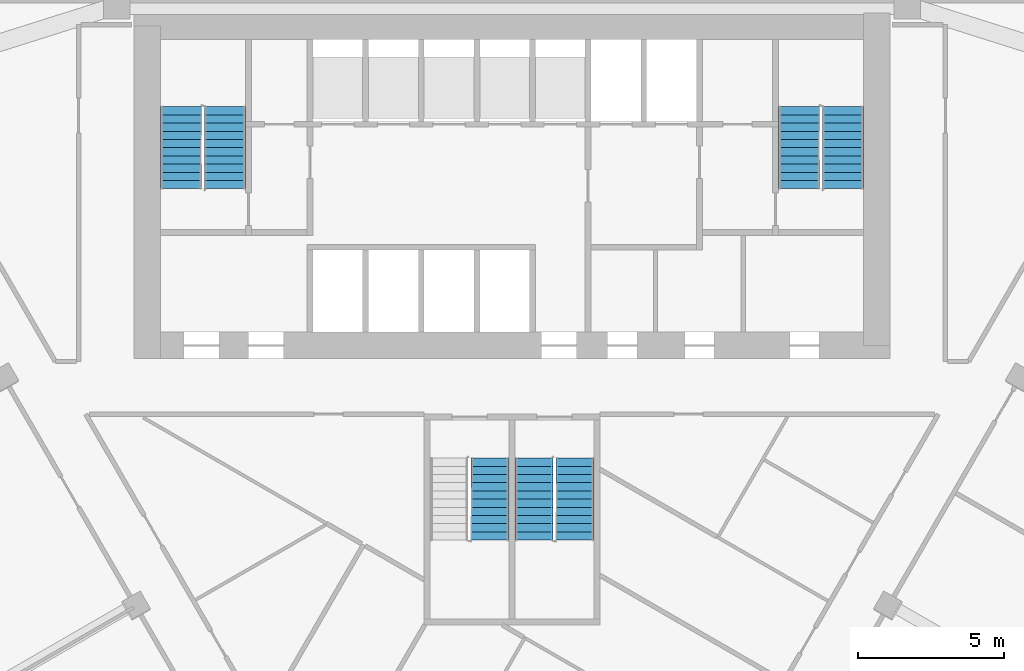
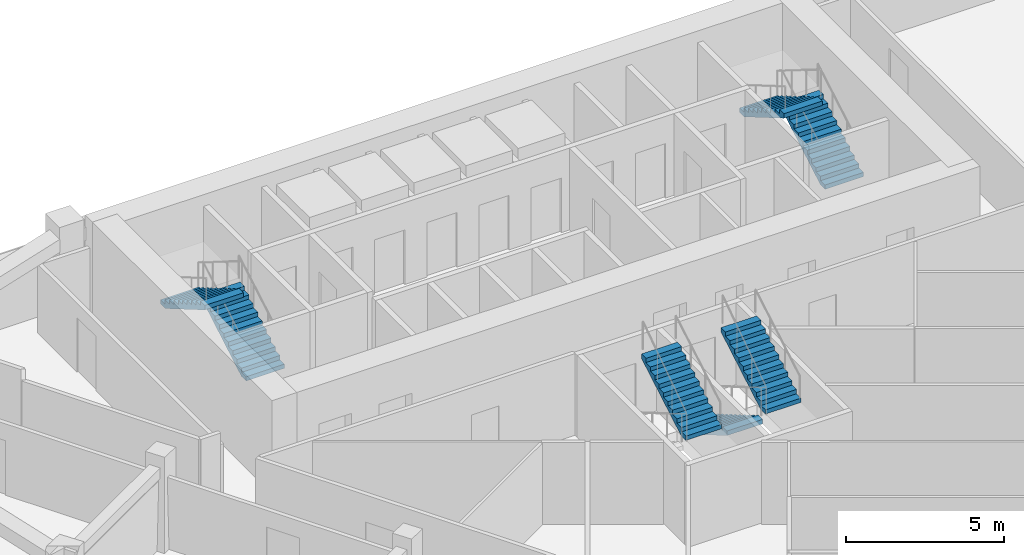
# One storey, part 12 of 14: 7 stair flights, 4 elements without a shape of their own.
"""IFC4 building model written with IfcOpenShell, lengths in metres."""

import ifcopenshell
import ifcopenshell.guid

model = None  # the IFC model being written
_history = None  # IfcOwnerHistory: only IFC2X3 demands one
_inside = {}  # id of a spatial element -> (the spatial element, [elements in it])
_under = {}  # id of a project, library or spatial element -> (it, [spatial elements below it])
_declared = {}  # id of a project -> (the project, [libraries it declares])
_typed = {}  # id of a type object -> (the type object, [elements of that type])
_made_of = {}  # id of a material, layer set ... -> (it, [elements and type objects made of it])


def new_model(schema):
    """Start an empty IFC model of exactly this schema.

    Asked for "IFC4X3", IfcOpenShell would pick the latest addendum, in which some entities
    have other attributes; the version numbers below select the first issue.
    IFC2X3 requires an IfcOwnerHistory on every rooted entity: one is made here for all.
    """
    global model, _history
    if schema == "IFC4X3":
        model = ifcopenshell.file(schema_version=(4, 3, 0, 0))
    else:
        model = ifcopenshell.file(schema=schema)
    _inside.clear()
    _under.clear()
    _declared.clear()
    _typed.clear()
    _made_of.clear()
    _history = None
    if model.schema == "IFC2X3":
        org = make("IfcOrganization", Name="unknown")
        user = make(
            "IfcPersonAndOrganization",
            ThePerson=make("IfcPerson", FamilyName="unknown"),
            TheOrganization=org,
        )
        app = make(
            "IfcApplication",
            ApplicationDeveloper=org,
            Version="unknown",
            ApplicationFullName="unknown",
            ApplicationIdentifier="unknown",
        )
        _history = make(
            "IfcOwnerHistory",
            OwningUser=user,
            OwningApplication=app,
            ChangeAction="ADDED",
            CreationDate=0,
        )
    return model


def make(cls, **values):
    """One entity of the class cls with the attributes given. An attribute that is None is left unset."""
    return model.create_entity(
        cls, **{name: value for name, value in values.items() if value is not None}
    )


def rooted(cls, **values):
    """An entity with a GlobalId (a new one), such as an element, a storey or a relation."""
    return make(cls, GlobalId=ifcopenshell.guid.new(), OwnerHistory=_history, **values)


def si_unit(unit_type, name, prefix=None):
    """IfcSIUnit, for example si_unit("LENGTHUNIT", "METRE", prefix="MILLI")."""
    return make("IfcSIUnit", UnitType=unit_type, Prefix=prefix, Name=name)


def assignment(units):
    """IfcUnitAssignment: the units of a project."""
    return None if units is None else make("IfcUnitAssignment", Units=units)


def point(xyz):
    """IfcCartesianPoint."""
    return None if xyz is None else make("IfcCartesianPoint", Coordinates=xyz)


def direction(xyz):
    """IfcDirection."""
    return None if xyz is None else make("IfcDirection", DirectionRatios=xyz)


def frame(location, z_axis=None, x_axis=None):
    """IfcAxis2Placement3D, a coordinate frame: its origin and axes. An axis left out is left unset."""
    return make(
        "IfcAxis2Placement3D",
        Location=point(location),
        Axis=direction(z_axis),
        RefDirection=direction(x_axis),
    )


def origin():
    """The frame at (0, 0, 0) with its axes left unset."""
    return frame((0.0, 0.0, 0.0))


def place(relative_to, where):
    """IfcLocalPlacement: puts the frame where relative to a parent placement (None: the world)."""
    return make(
        "IfcLocalPlacement", PlacementRelTo=relative_to, RelativePlacement=where
    )


def context(
    kind, dimensions, precision=None, world=None, true_north=None, identifier=None
):
    """IfcGeometricRepresentationContext, for example the 3D "Model" context."""
    return make(
        "IfcGeometricRepresentationContext",
        ContextIdentifier=identifier,
        ContextType=kind,
        CoordinateSpaceDimension=dimensions,
        Precision=precision,
        WorldCoordinateSystem=world,
        TrueNorth=true_north,
    )


def subcontext(parent, identifier, kind, view, scale=None):
    """IfcGeometricRepresentationSubContext, for example "Body" below "Model"."""
    return make(
        "IfcGeometricRepresentationSubContext",
        ContextIdentifier=identifier,
        ContextType=kind,
        ParentContext=parent,
        TargetScale=scale,
        TargetView=view,
    )


def project(units=None, contexts=None):
    """IfcProject with its units and contexts."""
    return rooted(
        "IfcProject",
        Name="project",
        RepresentationContexts=contexts,
        UnitsInContext=assignment(units),
    )


def spatial(cls, under=None, at=None, **own):
    """A site, building, storey or space (cls), placed at a placement, below another one or the project."""
    s = rooted(cls, ObjectPlacement=at, **own)
    if under is not None:
        _under.setdefault(under.id(), (under, []))[1].append(s)
    return s


def polyline(points):
    """IfcPolyline through the points."""
    return make("IfcPolyline", Points=[point(p) for p in points])


def outline(outer, holes=None, kind="AREA"):
    """IfcArbitraryClosedProfileDef: a profile drawn as a closed curve; with holes, ...WithVoids."""
    if holes is None:
        return make("IfcArbitraryClosedProfileDef", ProfileType=kind, OuterCurve=outer)
    return make(
        "IfcArbitraryProfileDefWithVoids",
        ProfileType=kind,
        OuterCurve=outer,
        InnerCurves=holes,
    )


def extrude(swept, where, along, depth):
    """IfcExtrudedAreaSolid: the profile swept, set in the frame where, extruded along a direction by depth."""
    return make(
        "IfcExtrudedAreaSolid",
        SweptArea=swept,
        Position=where,
        ExtrudedDirection=direction(along),
        Depth=depth,
    )


def shape(context_of_items, identifier, shape_type, items):
    """IfcShapeRepresentation: the items that make up one representation, for example the "Body"."""
    return make(
        "IfcShapeRepresentation",
        ContextOfItems=context_of_items,
        RepresentationIdentifier=identifier,
        RepresentationType=shape_type,
        Items=items,
    )


def material(Name=None, Category=None):
    """IfcMaterial."""
    return make("IfcMaterial", Name=Name, Category=Category)


def made_of(thing, what):
    """Note that an element or type object is made of a material, layer set ...; save() writes the relation."""
    if what is not None:
        _made_of.setdefault(what.id(), (what, []))[1].append(thing)
    return thing


def type_object(cls, material=None, **own):
    """A type object (cls), such as IfcWallType, which elements share."""
    return made_of(rooted(cls, **own), material)


def element(
    cls,
    number,
    at=None,
    inside=None,
    cuts=None,
    type_object=None,
    material=None,
    context=None,
    identifier="Body",
    shape_type=None,
    held_by="IfcProductDefinitionShape",
    body=None,
    shapes=None,
    **own,
):
    """One element of the class cls, such as IfcWall. Its Tag is "e" and its number.

    at: its placement. inside: the storey or other place that contains it. cuts: it is an
    opening in that element (IfcRelVoidsElement). A single representation is given by context,
    identifier, shape_type and body (its items); several are given by shapes. held_by: the class
    of the entity that holds the representations. save() writes the other relations.
    """
    e = rooted(cls, Tag="e%d" % number, ObjectPlacement=at, **own)
    if body is not None:
        shapes = [shape(context, identifier, shape_type, body)]
    if shapes is not None:
        e.Representation = make(held_by, Representations=shapes)
    if inside is not None:
        _inside.setdefault(inside.id(), (inside, []))[1].append(e)
    if cuts is not None:
        rooted(
            "IfcRelVoidsElement", RelatingBuildingElement=cuts, RelatedOpeningElement=e
        )
    if type_object is not None:
        _typed.setdefault(type_object.id(), (type_object, []))[1].append(e)
    return made_of(e, material)


def aggregate(whole, parts):
    """IfcRelAggregates: a whole, such as a stair, and the parts it consists of."""
    return rooted("IfcRelAggregates", RelatingObject=whole, RelatedObjects=parts)


def save(model, path):
    """Write the relations noted so far, then the file.

    IfcRelAggregates (storeys below a building ...), IfcRelContainedInSpatialStructure (elements
    in a storey), IfcRelDefinesByType, IfcRelAssociatesMaterial and IfcRelDeclares: one each for
    every whole, place, type object, material and project.
    """
    for whole, parts in _under.values():
        aggregate(whole, parts)
    for where, things in _inside.values():
        rooted(
            "IfcRelContainedInSpatialStructure",
            RelatedElements=things,
            RelatingStructure=where,
        )
    for kind, things in _typed.values():
        rooted("IfcRelDefinesByType", RelatedObjects=things, RelatingType=kind)
    for what, things in _made_of.values():
        rooted("IfcRelAssociatesMaterial", RelatedObjects=things, RelatingMaterial=what)
    for by, libraries in _declared.values():
        rooted("IfcRelDeclares", RelatingContext=by, RelatedDefinitions=libraries)
    model.write(path)


model = new_model("IFC4")

# Units and contexts
model_context = context("Model", 3, precision=1e-05, world=origin(), true_north=direction((0.0, 1.0)))
body_context = subcontext(model_context, "Body", "Model", "MODEL_VIEW")
ifc_project = project(units=[si_unit("LENGTHUNIT", "METRE"), si_unit("AREAUNIT", "SQUARE_METRE"), si_unit("VOLUMEUNIT", "CUBIC_METRE"), si_unit("PLANEANGLEUNIT", "RADIAN"), si_unit("MASSUNIT", "GRAM", prefix="KILO")], contexts=[model_context])

# Site, building, storey
site_placement = place(None, origin())
site = spatial("IfcSite", under=ifc_project, at=site_placement, CompositionType="ELEMENT")
building_placement = place(site_placement, origin())
building = spatial("IfcBuilding", under=site, at=building_placement, Name="Altiplano Prism Tower", CompositionType="ELEMENT")
storey_placement = place(building_placement, frame((0.0, 0.0, 115.199951171875)))
storey = spatial("IfcBuildingStorey", under=building, at=storey_placement, Name="L29", CompositionType="ELEMENT", Elevation=115.199951171875)

# Stair, stair flights
ifc_material = material(Name="Concrete C40/50", Category="concrete")
stair_type_1 = type_object("IfcStairType", Name="Exit stair 1400", PredefinedType="HALF_TURN_STAIR", material=ifc_material)
stair_1_placement = place(storey_placement, origin())
stair_1 = element("IfcStair", 1, at=stair_1_placement, inside=storey, type_object=stair_type_1, Name="L29 Exit Stair 1", PredefinedType="HALF_TURN_STAIR")
stair_flight_type = type_object("IfcStairFlightType", Name="Stair flight concrete 150", PredefinedType="STRAIGHT", material=ifc_material)
stair_flight_1_placement = place(storey_placement, frame((75.199951171875, 98.300048828125, 0.0), z_axis=(0.0, 0.0, 1.0), x_axis=(0.0, 1.0, 0.0)))
stair_flight_1 = element("IfcStairFlight", 2, at=stair_flight_1_placement, type_object=stair_flight_type, Name="ST1 flight 1", NumberOfRisers=11, NumberOfTreads=10, PredefinedType="STRAIGHT", RiserHeight=0.163636364, TreadLength=0.28, context=body_context, shape_type="SweptSolid", body=[
    extrude(outline(polyline([(0.0, 0.0), (0.0, 0.16357421875), (0.280029296875, 0.16357421875), (0.280029296875, 0.327392578125), (0.56005859375, 0.327392578125), (0.56005859375, 0.490966796875), (0.840087890625, 0.490966796875), (0.840087890625, 0.654541015625), (1.1201171875, 0.654541015625), (1.1201171875, 0.818115234375), (1.39990234375, 0.818115234375), (1.39990234375, 0.98193359375), (1.679931640625, 0.98193359375), (1.679931640625, 1.1455078125), (1.9599609375, 1.1455078125), (1.9599609375, 1.30908203125), (2.239990234375, 1.30908203125), (2.239990234375, 1.47265625), (2.52001953125, 1.47265625), (2.52001953125, 1.636474609375), (2.800048828125, 1.636474609375), (2.800048828125, 1.800048828125), (2.800048828125, 1.462646484375), (0.297119140625, 0.0), (0.0, 0.0)])), frame((0.0, 0.699951171875, 0.0), z_axis=(0.0, -1.0, 0.0), x_axis=(1.0, 0.0, 0.0)), (0.0, 0.0, 1.0), 1.39990234375),
])
stair_flight_2_placement = place(storey_placement, frame((73.699951171875, 101.10009765625, 1.800048828125), z_axis=(0.0, 0.0, 1.0), x_axis=(0.0, -1.0, 0.0)))
stair_flight_2 = element("IfcStairFlight", 3, at=stair_flight_2_placement, type_object=stair_flight_type, Name="ST1 flight 2", NumberOfRisers=11, NumberOfTreads=10, PredefinedType="STRAIGHT", RiserHeight=0.163636364, TreadLength=0.28, context=body_context, shape_type="SweptSolid", body=[
    extrude(outline(polyline([(0.0, 0.0), (0.0, 0.16357421875), (0.280029296875, 0.16357421875), (0.280029296875, 0.327392578125), (0.56005859375, 0.327392578125), (0.56005859375, 0.490966796875), (0.840087890625, 0.490966796875), (0.840087890625, 0.654541015625), (1.1201171875, 0.654541015625), (1.1201171875, 0.818115234375), (1.39990234375, 0.818115234375), (1.39990234375, 0.98193359375), (1.679931640625, 0.98193359375), (1.679931640625, 1.1455078125), (1.9599609375, 1.1455078125), (1.9599609375, 1.30908203125), (2.239990234375, 1.30908203125), (2.239990234375, 1.47265625), (2.52001953125, 1.47265625), (2.52001953125, 1.636474609375), (2.800048828125, 1.636474609375), (2.800048828125, 1.800048828125), (2.800048828125, 1.462646484375), (0.297119140625, 0.0), (0.0, 0.0)])), frame((0.0, 0.699951171875, 0.0), z_axis=(0.0, -1.0, 0.0), x_axis=(1.0, 0.0, 0.0)), (0.0, 0.0, 1.0), 1.39990234375),
])
aggregate(stair_1, [stair_flight_1, stair_flight_2])

stair_2_placement = place(storey_placement, origin())
stair_2 = element("IfcStair", 4, at=stair_2_placement, inside=storey, type_object=stair_type_1, Name="L29 Exit Stair 2", PredefinedType="HALF_TURN_STAIR")
stair_flight_3_placement = place(storey_placement, frame((96.300048828125, 98.300048828125, 0.0), z_axis=(0.0, 0.0, 1.0), x_axis=(0.0, 1.0, 0.0)))
stair_flight_3 = element("IfcStairFlight", 5, at=stair_flight_3_placement, type_object=stair_flight_type, Name="ST2 flight 1", NumberOfRisers=11, NumberOfTreads=10, PredefinedType="STRAIGHT", RiserHeight=0.163636364, TreadLength=0.28, context=body_context, shape_type="SweptSolid", body=[
    extrude(outline(polyline([(0.0, 0.0), (0.0, 0.16357421875), (0.280029296875, 0.16357421875), (0.280029296875, 0.327392578125), (0.56005859375, 0.327392578125), (0.56005859375, 0.490966796875), (0.840087890625, 0.490966796875), (0.840087890625, 0.654541015625), (1.1201171875, 0.654541015625), (1.1201171875, 0.818115234375), (1.39990234375, 0.818115234375), (1.39990234375, 0.98193359375), (1.679931640625, 0.98193359375), (1.679931640625, 1.1455078125), (1.9599609375, 1.1455078125), (1.9599609375, 1.30908203125), (2.239990234375, 1.30908203125), (2.239990234375, 1.47265625), (2.52001953125, 1.47265625), (2.52001953125, 1.636474609375), (2.800048828125, 1.636474609375), (2.800048828125, 1.800048828125), (2.800048828125, 1.462646484375), (0.297119140625, 0.0), (0.0, 0.0)])), frame((0.0, 0.699951171875, 0.0), z_axis=(0.0, -1.0, 0.0), x_axis=(1.0, 0.0, 0.0)), (0.0, 0.0, 1.0), 1.39990234375),
])
stair_flight_4_placement = place(storey_placement, frame((94.800048828125, 101.10009765625, 1.800048828125), z_axis=(0.0, 0.0, 1.0), x_axis=(0.0, -1.0, 0.0)))
stair_flight_4 = element("IfcStairFlight", 6, at=stair_flight_4_placement, type_object=stair_flight_type, Name="ST2 flight 2", NumberOfRisers=11, NumberOfTreads=10, PredefinedType="STRAIGHT", RiserHeight=0.163636364, TreadLength=0.28, context=body_context, shape_type="SweptSolid", body=[
    extrude(outline(polyline([(0.0, 0.0), (0.0, 0.16357421875), (0.280029296875, 0.16357421875), (0.280029296875, 0.327392578125), (0.56005859375, 0.327392578125), (0.56005859375, 0.490966796875), (0.840087890625, 0.490966796875), (0.840087890625, 0.654541015625), (1.1201171875, 0.654541015625), (1.1201171875, 0.818115234375), (1.39990234375, 0.818115234375), (1.39990234375, 0.98193359375), (1.679931640625, 0.98193359375), (1.679931640625, 1.1455078125), (1.9599609375, 1.1455078125), (1.9599609375, 1.30908203125), (2.239990234375, 1.30908203125), (2.239990234375, 1.47265625), (2.52001953125, 1.47265625), (2.52001953125, 1.636474609375), (2.800048828125, 1.636474609375), (2.800048828125, 1.800048828125), (2.800048828125, 1.462646484375), (0.297119140625, 0.0), (0.0, 0.0)])), frame((0.0, 0.699951171875, 0.0), z_axis=(0.0, -1.0, 0.0), x_axis=(1.0, 0.0, 0.0)), (0.0, 0.0, 1.0), 1.39990234375),
])
aggregate(stair_2, [stair_flight_3, stair_flight_4])

# Stair, stair flight
stair_type_2 = type_object("IfcStairType", Name="Exit stair 1300", PredefinedType="HALF_TURN_STAIR", material=ifc_material)
stair_3_placement = place(storey_placement, origin())
stair_3 = element("IfcStair", 7, at=stair_3_placement, inside=storey, type_object=stair_type_2, Name="L29 Exit Stair 3A", PredefinedType="HALF_TURN_STAIR")
stair_flight_5_placement = place(storey_placement, frame((84.25, 86.300048828125, 1.800048828125), z_axis=(0.0, 0.0, 1.0), x_axis=(0.0, 1.0, 0.0)))
stair_flight_5 = element("IfcStairFlight", 8, at=stair_flight_5_placement, type_object=stair_flight_type, Name="ST3A flight 2", NumberOfRisers=11, NumberOfTreads=10, PredefinedType="STRAIGHT", RiserHeight=0.163636364, TreadLength=0.28, context=body_context, shape_type="SweptSolid", body=[
    extrude(outline(polyline([(0.0, 0.0), (0.0, 0.16357421875), (0.280029296875, 0.16357421875), (0.280029296875, 0.327392578125), (0.56005859375, 0.327392578125), (0.56005859375, 0.490966796875), (0.840087890625, 0.490966796875), (0.840087890625, 0.654541015625), (1.1201171875, 0.654541015625), (1.1201171875, 0.818115234375), (1.39990234375, 0.818115234375), (1.39990234375, 0.98193359375), (1.679931640625, 0.98193359375), (1.679931640625, 1.1455078125), (1.9599609375, 1.1455078125), (1.9599609375, 1.30908203125), (2.239990234375, 1.30908203125), (2.239990234375, 1.47265625), (2.52001953125, 1.47265625), (2.52001953125, 1.636474609375), (2.800048828125, 1.636474609375), (2.800048828125, 1.800048828125), (2.800048828125, 1.462646484375), (0.297119140625, 0.0), (0.0, 0.0)])), frame((0.0, 0.64990234375, 0.0), z_axis=(0.0, -1.0, 0.0), x_axis=(1.0, 0.0, 0.0)), (0.0, 0.0, 1.0), 1.300048828125),
])
aggregate(stair_3, [stair_flight_5])

# Stair, stair flights
stair_4_placement = place(storey_placement, origin())
stair_4 = element("IfcStair", 9, at=stair_4_placement, inside=storey, type_object=stair_type_2, Name="L29 Exit Stair 3B", PredefinedType="HALF_TURN_STAIR")
stair_flight_6_placement = place(storey_placement, frame((85.75, 89.10009765625, 0.0), z_axis=(0.0, 0.0, 1.0), x_axis=(0.0, -1.0, 0.0)))
stair_flight_6 = element("IfcStairFlight", 10, at=stair_flight_6_placement, type_object=stair_flight_type, Name="ST3B flight 1", NumberOfRisers=11, NumberOfTreads=10, PredefinedType="STRAIGHT", RiserHeight=0.163636364, TreadLength=0.28, context=body_context, shape_type="SweptSolid", body=[
    extrude(outline(polyline([(0.0, 0.0), (0.0, 0.16357421875), (0.280029296875, 0.16357421875), (0.280029296875, 0.327392578125), (0.56005859375, 0.327392578125), (0.56005859375, 0.490966796875), (0.840087890625, 0.490966796875), (0.840087890625, 0.654541015625), (1.1201171875, 0.654541015625), (1.1201171875, 0.818115234375), (1.39990234375, 0.818115234375), (1.39990234375, 0.98193359375), (1.679931640625, 0.98193359375), (1.679931640625, 1.1455078125), (1.9599609375, 1.1455078125), (1.9599609375, 1.30908203125), (2.239990234375, 1.30908203125), (2.239990234375, 1.47265625), (2.52001953125, 1.47265625), (2.52001953125, 1.636474609375), (2.800048828125, 1.636474609375), (2.800048828125, 1.800048828125), (2.800048828125, 1.462646484375), (0.297119140625, 0.0), (0.0, 0.0)])), frame((0.0, 0.64990234375, 0.0), z_axis=(0.0, -1.0, 0.0), x_axis=(1.0, 0.0, 0.0)), (0.0, 0.0, 1.0), 1.300048828125),
])
stair_flight_7_placement = place(storey_placement, frame((87.14990234375, 86.300048828125, 1.800048828125), z_axis=(0.0, 0.0, 1.0), x_axis=(0.0, 1.0, 0.0)))
stair_flight_7 = element("IfcStairFlight", 11, at=stair_flight_7_placement, type_object=stair_flight_type, Name="ST3B flight 2", NumberOfRisers=11, NumberOfTreads=10, PredefinedType="STRAIGHT", RiserHeight=0.163636364, TreadLength=0.28, context=body_context, shape_type="SweptSolid", body=[
    extrude(outline(polyline([(0.0, 0.0), (0.0, 0.16357421875), (0.280029296875, 0.16357421875), (0.280029296875, 0.327392578125), (0.56005859375, 0.327392578125), (0.56005859375, 0.490966796875), (0.840087890625, 0.490966796875), (0.840087890625, 0.654541015625), (1.1201171875, 0.654541015625), (1.1201171875, 0.818115234375), (1.39990234375, 0.818115234375), (1.39990234375, 0.98193359375), (1.679931640625, 0.98193359375), (1.679931640625, 1.1455078125), (1.9599609375, 1.1455078125), (1.9599609375, 1.30908203125), (2.239990234375, 1.30908203125), (2.239990234375, 1.47265625), (2.52001953125, 1.47265625), (2.52001953125, 1.636474609375), (2.800048828125, 1.636474609375), (2.800048828125, 1.800048828125), (2.800048828125, 1.462646484375), (0.297119140625, 0.0), (0.0, 0.0)])), frame((0.0, 0.64990234375, 0.0), z_axis=(0.0, -1.0, 0.0), x_axis=(1.0, 0.0, 0.0)), (0.0, 0.0, 1.0), 1.300048828125),
])
aggregate(stair_4, [stair_flight_6, stair_flight_7])

save(model, "model.ifc")
